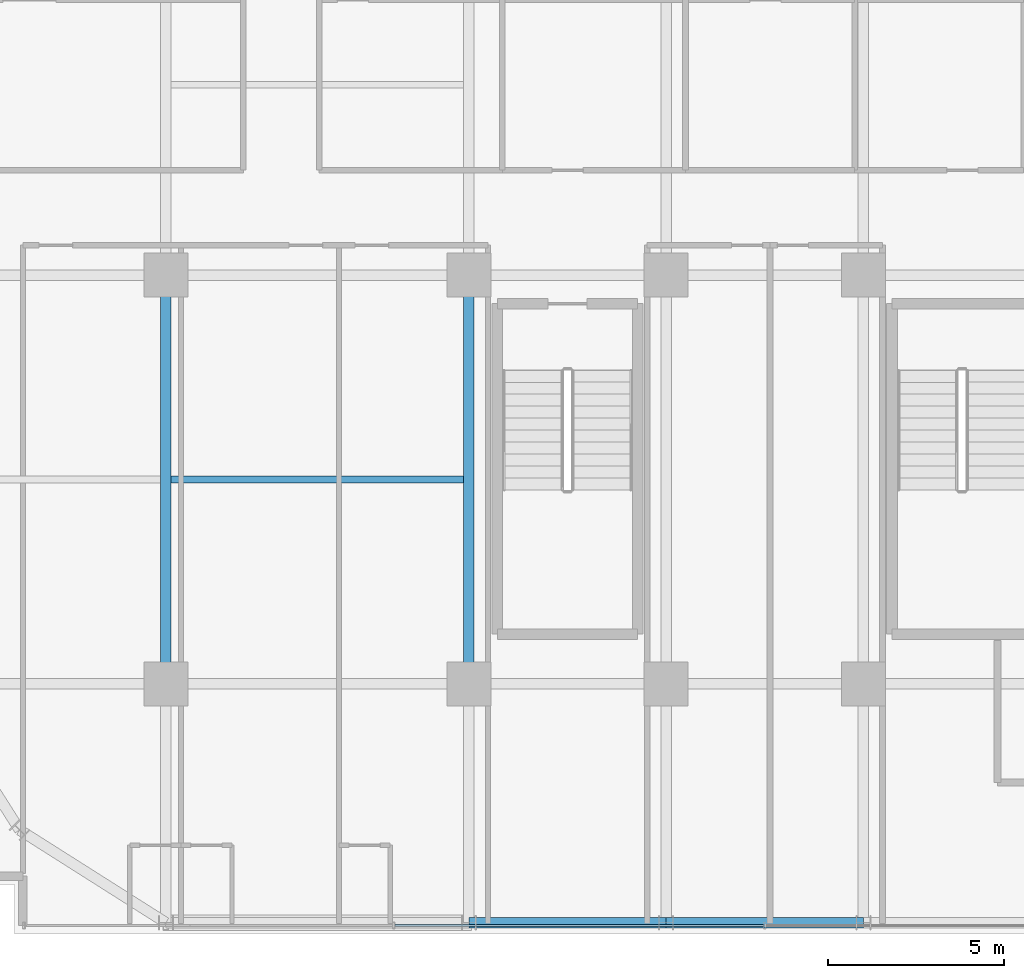
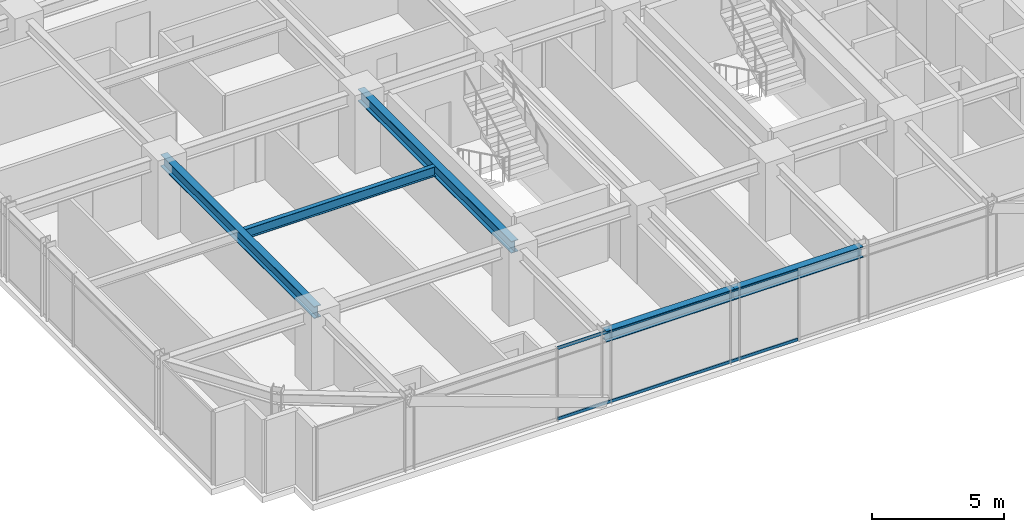
# One storey, part 5 of 34: 5 beams, 2 members, 1 element without a shape of its own.
"""IFC4 building model written with IfcOpenShell, lengths in metres."""

from ifc_helpers import new_model, si_unit, direction, frame, origin, origin_2d, place, context, subcontext, project, spatial, hollow_rectangle, i_section, extrude, source, transform, mapped, material, material_profile, profile_set, type_object, element, aggregate, save


model = new_model("IFC4")

# Units and contexts
model_context = context("Model", 3, precision=1e-05, world=origin(), true_north=direction((0.0, 1.0)))
body_context = subcontext(model_context, "Body", "Model", "MODEL_VIEW")
ifc_project = project(units=[si_unit("LENGTHUNIT", "METRE"), si_unit("AREAUNIT", "SQUARE_METRE"), si_unit("VOLUMEUNIT", "CUBIC_METRE"), si_unit("PLANEANGLEUNIT", "RADIAN"), si_unit("MASSUNIT", "GRAM", prefix="KILO")], contexts=[model_context])

# Site, building, storey
site_placement = place(None, origin())
site = spatial("IfcSite", under=ifc_project, at=site_placement, CompositionType="ELEMENT")
building_placement = place(site_placement, origin())
building = spatial("IfcBuilding", under=site, at=building_placement, Name="Nahalor Promenade Grand Hotel", CompositionType="ELEMENT")
storey_placement = place(building_placement, frame((0.0, 0.0, 128.449951171875)))
storey = spatial("IfcBuildingStorey", under=building, at=storey_placement, Name="L32", CompositionType="ELEMENT", Elevation=128.449951171875)

# Beams
ifc_material_1 = material(Name="Steel S355JR", Category="steel")
ifc_material_profile_1 = material_profile(ifc_material_1, i_section(OverallWidth=0.3, OverallDepth=0.5, WebThickness=0.0145, FlangeThickness=0.028, at=origin_2d()), Name="HEB 500")
ifc_profile_set_1 = profile_set([ifc_material_profile_1], Name="Steel S355JR")
beam_type_1 = type_object("IfcBeamType", Name="Beam-Spandrel-HEB500", PredefinedType="SPANDREL", material=ifc_profile_set_1)
shared_shape_1 = source(origin(), body_context, "Body", "SweptSolid", [
    extrude(i_section(OverallWidth=0.3, OverallDepth=0.5, WebThickness=0.0145, FlangeThickness=0.028, at=origin_2d()), origin(), (0.0, 0.0, 1.0), 5.599853515625),
])
beam_1_placement = place(storey_placement, frame((-8.39990234375, -23.780029296875, 3.130126953125), z_axis=(1.0, 0.0, 0.0), x_axis=(0.0, 1.0, 0.0)))
element("IfcBeam", 1, at=beam_1_placement, inside=storey, type_object=beam_type_1, Name="BM-L32-SP-S-1", PredefinedType="SPANDREL", context=body_context, shape_type="MappedRepresentation", body=[
    mapped(shared_shape_1, transform((0.0, 0.0, 0.0), scale=1.0)),
])
shared_shape_2 = source(origin(), body_context, "Body", "SweptSolid", [
    extrude(i_section(OverallWidth=0.3, OverallDepth=0.5, WebThickness=0.0145, FlangeThickness=0.028, at=origin_2d()), origin(), (0.0, 0.0, 1.0), 5.60009765625),
])
beam_2_placement = place(storey_placement, frame((-2.800048828125, -23.780029296875, 3.130126953125), z_axis=(1.0, 0.0, 0.0), x_axis=(0.0, 1.0, 0.0)))
element("IfcBeam", 2, at=beam_2_placement, inside=storey, type_object=beam_type_1, Name="BM-L32-SP-S-2", PredefinedType="SPANDREL", context=body_context, shape_type="MappedRepresentation", body=[
    mapped(shared_shape_2, transform((0.0, 0.0, 0.0), scale=1.0)),
])
ifc_material_profile_2 = material_profile(ifc_material_1, i_section(OverallWidth=0.3, OverallDepth=0.55, WebThickness=0.015, FlangeThickness=0.029, at=origin_2d()), Name="HEB 550")
ifc_profile_set_2 = profile_set([ifc_material_profile_2], Name="Steel S355JR")
beam_type_2 = type_object("IfcBeamType", Name="Beam-Girder-HEB550", PredefinedType="BEAM", material=ifc_profile_set_2)
shared_shape_3 = source(origin(), body_context, "Body", "SweptSolid", [
    extrude(i_section(OverallWidth=0.3, OverallDepth=0.55, WebThickness=0.015, FlangeThickness=0.029, at=origin_2d()), origin(), (0.0, 0.0, 1.0), 11.60009765625),
])
for number, where, z_axis, x_axis, name in (
    (3, (-17.0, -17.0, 3.10498046875), (0.0, 1.0, 0.0), (-1.0, 0.0, 0.0), "BM-L32-GY-0-1"),
    (4, (-8.39990234375, -17.0, 3.10498046875), (0.0, 1.0, 0.0), (-1.0, 0.0, 0.0), "BM-L32-GY-1-1"),
):
    element("IfcBeam", number, at=place(storey_placement, frame(where, z_axis=z_axis, x_axis=x_axis)), inside=storey, type_object=beam_type_2, Name=name, PredefinedType="BEAM", context=body_context, shape_type="MappedRepresentation", body=[
        mapped(shared_shape_3, transform((0.0, 0.0, 0.0), scale=1.0)),
    ])
ifc_material_profile_3 = material_profile(ifc_material_1, i_section(OverallWidth=0.19, OverallDepth=0.45, WebThickness=0.0094, FlangeThickness=0.0146, at=origin_2d()), Name="IPE 450")
ifc_profile_set_3 = profile_set([ifc_material_profile_3], Name="Steel S355JR")
beam_type_3 = type_object("IfcBeamType", Name="Beam-Joist-IPE450", PredefinedType="JOIST", material=ifc_profile_set_3)
shared_shape_4 = source(origin(), body_context, "Body", "SweptSolid", [
    extrude(i_section(OverallWidth=0.19, OverallDepth=0.45, WebThickness=0.0094, FlangeThickness=0.0146, at=origin_2d()), origin(), (0.0, 0.0, 1.0), 8.300048828125),
])
beam_3_placement = place(storey_placement, frame((-16.85009765625, -11.199951171875, 3.155029296875), z_axis=(1.0, 0.0, 0.0), x_axis=(0.0, 1.0, 0.0)))
element("IfcBeam", 5, at=beam_3_placement, inside=storey, type_object=beam_type_3, Name="BM-L32-JSW-0-1", PredefinedType="JOIST", context=body_context, shape_type="MappedRepresentation", body=[
    mapped(shared_shape_4, transform((0.0, 0.0, 0.0), scale=1.0)),
])

# Curtain wall, members
ifc_material_2 = material(Name="Anodised Bronze Aluminium EN AW-6063 T6", Category="aluminium")
curtain_wall_type = type_object("IfcCurtainWallType", Name="CW2 Typical Hotel Flush Bronze Unitised Curtain Wall", PredefinedType="USERDEFINED", material=ifc_material_2)
curtain_wall_placement = place(storey_placement, origin())
curtain_wall = element("IfcCurtainWall", 6, at=curtain_wall_placement, inside=storey, type_object=curtain_wall_type, Name="L32 Curtain Wall CW-L32-S-1", ObjectType="UNITISED_CURTAIN_WALL", PredefinedType="USERDEFINED")
ifc_material_profile_4 = material_profile(ifc_material_2, hollow_rectangle(XDim=0.065, YDim=0.13, WallThickness=0.004, at=origin_2d()), Name="CWT 65x130x4")
ifc_profile_set_4 = profile_set([ifc_material_profile_4], Name="Anodised Bronze Aluminium EN AW-6063 T6")
member_type = type_object("IfcMemberType", Name="CWT2 Typical Bronze Transom 65x130", PredefinedType="USERDEFINED", material=ifc_profile_set_4)
shared_shape_5 = source(origin(), body_context, "Body", "SweptSolid", [
    extrude(hollow_rectangle(XDim=0.065, YDim=0.13, WallThickness=0.004, at=origin_2d()), origin(), (0.0, 0.0, 1.0), 10.465087890625),
])
member_1_placement = place(storey_placement, frame((-10.49755859375, -23.860107421875, 0.06494140625), z_axis=(1.0, 0.0, 0.0), x_axis=(0.0, 1.0, 0.0)))
member_1 = element("IfcMember", 7, at=member_1_placement, type_object=member_type, Name="CW-L32-S-1 Transom 1-0", ObjectType="TRANSOM", PredefinedType="USERDEFINED", context=body_context, shape_type="MappedRepresentation", body=[
    mapped(shared_shape_5, transform((0.0, 0.0, 0.0), scale=1.0)),
])
member_2_placement = place(storey_placement, frame((-10.49755859375, -23.860107421875, 3.31494140625), z_axis=(1.0, 0.0, 0.0), x_axis=(0.0, 1.0, 0.0)))
member_2 = element("IfcMember", 8, at=member_2_placement, type_object=member_type, Name="CW-L32-S-1 Transom 1-1", ObjectType="TRANSOM", PredefinedType="USERDEFINED", context=body_context, shape_type="MappedRepresentation", body=[
    mapped(shared_shape_5, transform((0.0, 0.0, 0.0), scale=1.0)),
])
aggregate(curtain_wall, [member_1, member_2])

save(model, "model.ifc")
